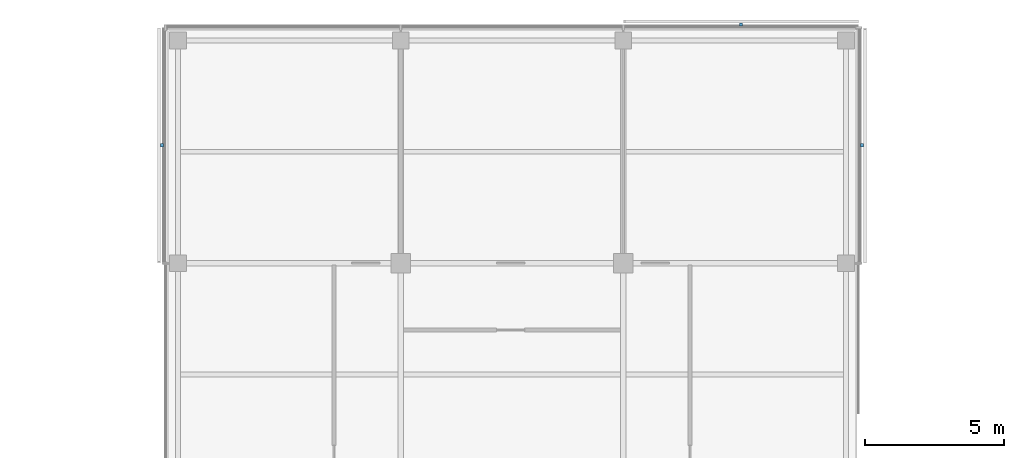
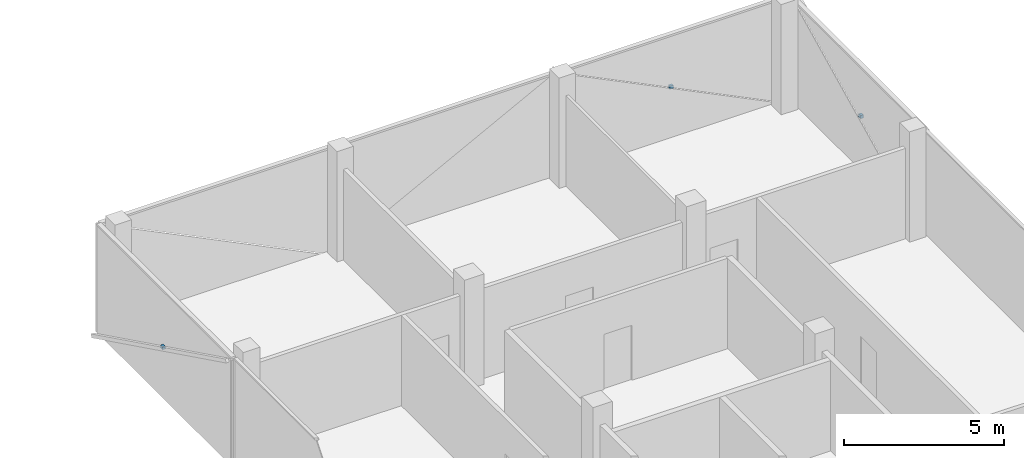
# One storey, part 15 of 16: 3 discrete accessories.
"""IFC4 building model written with IfcOpenShell, lengths in metres."""

from ifc_helpers import new_model, si_unit, direction, frame, origin, origin_2d, place, context, subcontext, project, spatial, rectangle, extrude, material, type_object, element, save


model = new_model("IFC4")

# Units and contexts
model_context = context("Model", 3, precision=1e-05, world=origin(), true_north=direction((0.0, 1.0)))
body_context = subcontext(model_context, "Body", "Model", "MODEL_VIEW")
ifc_project = project(units=[si_unit("LENGTHUNIT", "METRE"), si_unit("AREAUNIT", "SQUARE_METRE"), si_unit("VOLUMEUNIT", "CUBIC_METRE"), si_unit("PLANEANGLEUNIT", "RADIAN"), si_unit("MASSUNIT", "GRAM", prefix="KILO")], contexts=[model_context])

# Site, building, storey
site_placement = place(None, origin())
site = spatial("IfcSite", under=ifc_project, at=site_placement, CompositionType="ELEMENT")
building_placement = place(site_placement, origin())
building = spatial("IfcBuilding", under=site, at=building_placement, Name="Crosswind Convention Tower", CompositionType="ELEMENT")
storey_placement = place(building_placement, frame((0.0, 0.0, 287.10009765625)))
storey = spatial("IfcBuildingStorey", under=building, at=storey_placement, Name="L62", CompositionType="ELEMENT", Elevation=287.10009765625)

# Discrete accessories
ifc_material = material(Name="Stainless steel", Category="steel")
discrete_accessory_type = type_object("IfcDiscreteAccessoryType", Name="BAGUETTE BRACKET BK3", PredefinedType="BRACKET", material=ifc_material)
for number, where, z_axis, x_axis, name in (
    (1, (137.575927734375, 124.22998046875, 1.704833984375), (0.0, 0.0, 1.0), (0.0, 1.0, 0.0), "BK3 baguette bracket"),
    (2, (133.22998046875, 128.575927734375, 1.704833984375), (0.0, 0.0, 1.0), (-1.0, 0.0, 0.0), "BK3 baguette bracket"),
    (3, (112.424072265625, 124.22998046875, 1.704833984375), (0.0, 0.0, 1.0), (0.0, -1.0, 0.0), "BK3 baguette bracket"),
):
    element("IfcDiscreteAccessory", number, at=place(storey_placement, frame(where, z_axis=z_axis, x_axis=x_axis)), inside=storey, type_object=discrete_accessory_type, Name=name, PredefinedType="BRACKET", context=body_context, shape_type="SweptSolid", body=[
        extrude(rectangle(XDim=0.1201171875, YDim=0.10009765625, at=origin_2d()), origin(), (0.0, 0.0, 1.0), 0.1201171875),
    ])

save(model, "model.ifc")
